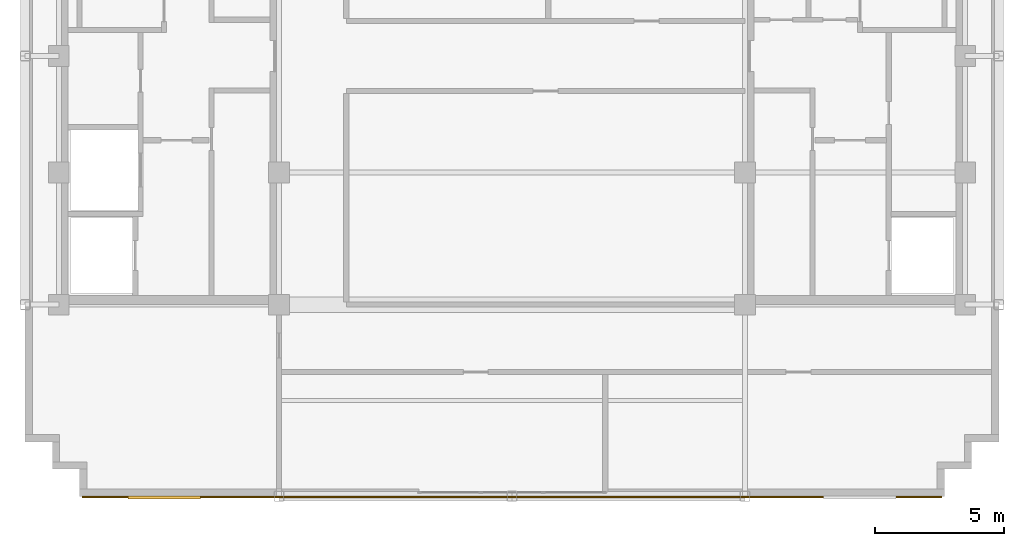
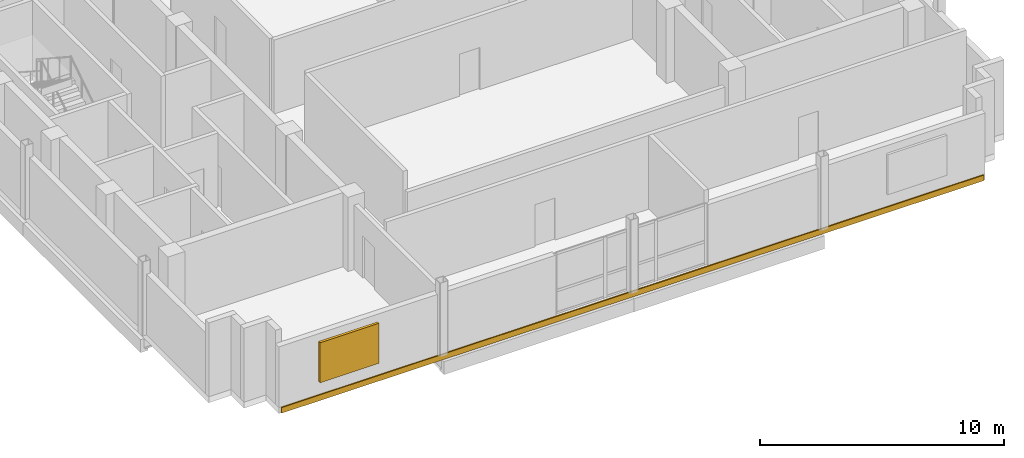
# One storey, part 7 of 10: 1 covering, 1 shading device.
"""IFC4 building model written with IfcOpenShell, lengths in metres."""

from ifc_helpers import new_model, si_unit, direction, frame, origin, origin_2d, place, context, subcontext, project, spatial, rectangle, extrude, source, transform, mapped, material, layer, layer_set, type_object, type_shapes, element, save


model = new_model("IFC4")

# Units and contexts
model_context = context("Model", 3, precision=1e-05, world=origin(), true_north=direction((0.0, 1.0)))
body_context = subcontext(model_context, "Body", "Model", "MODEL_VIEW")
ifc_project = project(units=[si_unit("LENGTHUNIT", "METRE"), si_unit("AREAUNIT", "SQUARE_METRE"), si_unit("VOLUMEUNIT", "CUBIC_METRE"), si_unit("PLANEANGLEUNIT", "RADIAN"), si_unit("MASSUNIT", "GRAM", prefix="KILO")], contexts=[model_context])

# Site, building, storey
site_placement = place(None, origin())
site = spatial("IfcSite", under=ifc_project, at=site_placement, CompositionType="ELEMENT")
building_placement = place(site_placement, origin())
building = spatial("IfcBuilding", under=site, at=building_placement, Name="Nuvemarco Arch Tower", CompositionType="ELEMENT")
storey_placement = place(building_placement, frame((0.0, 0.0, 291.14990234375)))
storey = spatial("IfcBuildingStorey", under=building, at=storey_placement, Name="L77", CompositionType="ELEMENT", Elevation=291.14990234375)

# Shading device
ifc_material_1 = material(Name="Anodised aluminium 6063-T6", Category="aluminium")
shading_device_type = type_object("IfcShadingDeviceType", Name="SHD-LOUVRE-PLANT", PredefinedType="JALOUSIE", material=ifc_material_1)
shared_shape_1 = source(origin(), body_context, "Body", "SweptSolid", [
    extrude(rectangle(XDim=2.800048828125, YDim=0.1201171875, at=origin_2d()), origin(), (0.0, 0.0, 1.0), 2.0),
])
type_shapes(shading_device_type, [shared_shape_1])
shading_device_placement = place(storey_placement, frame((-13.425048828125, -17.054931640625, 0.650146484375), z_axis=(0.0, 0.0, 1.0), x_axis=(1.0, 0.0, 0.0)))
element("IfcShadingDevice", 1, at=shading_device_placement, inside=storey, type_object=shading_device_type, Name="L77 acoustic plant louvre panel 1", PredefinedType="JALOUSIE", context=body_context, shape_type="MappedRepresentation", body=[
    mapped(shared_shape_1, transform((0.0, 0.0, 0.0), scale=1.0)),
])

# Covering
ifc_material_2 = material(Name="Precast concrete C45/55", Category="concrete")
ifc_layer = layer(ifc_material_2, 0.06005859375, Name="COV-SPANDREL-CLAD")
ifc_layer_set = layer_set([ifc_layer], Name="Precast concrete C45/55")
covering_type = type_object("IfcCoveringType", Name="COV-SPANDREL-CLAD", PredefinedType="CLADDING", material=ifc_layer_set)
shared_shape_2 = source(origin(), body_context, "Body", "SweptSolid", [
    extrude(rectangle(XDim=33.199951171875, YDim=0.06005859375, at=origin_2d()), origin(), (0.0, 0.0, 1.0), 0.280029296875),
])
type_shapes(covering_type, [shared_shape_2])
covering_placement = place(storey_placement, frame((0.0, -17.029052734375, -0.27978515625), z_axis=(0.0, 0.0, 1.0), x_axis=(1.0, 0.0, 0.0)))
element("IfcCovering", 2, at=covering_placement, inside=storey, type_object=covering_type, Name="L77 precast spandrel edge cladding south", PredefinedType="CLADDING", context=body_context, shape_type="MappedRepresentation", body=[
    mapped(shared_shape_2, transform((0.0, 0.0, 0.0), scale=1.0)),
])

save(model, "model.ifc")
